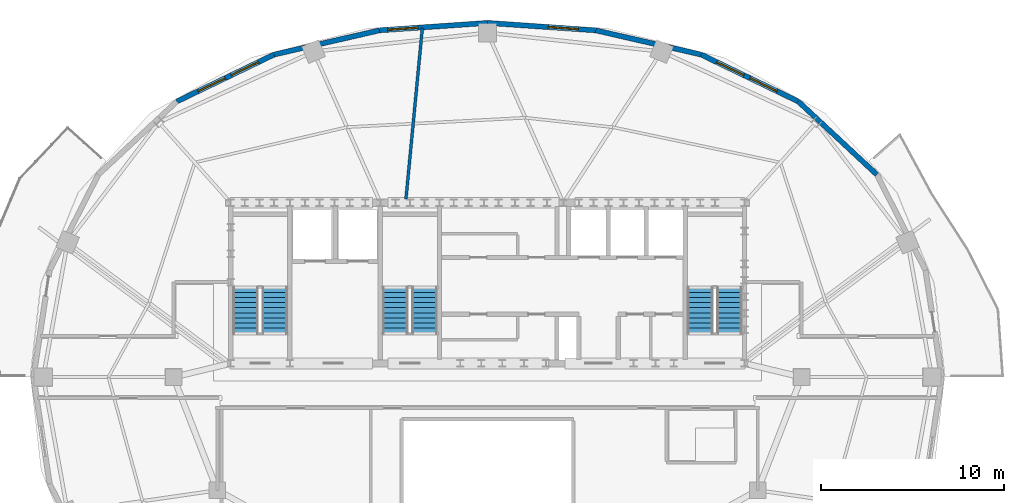
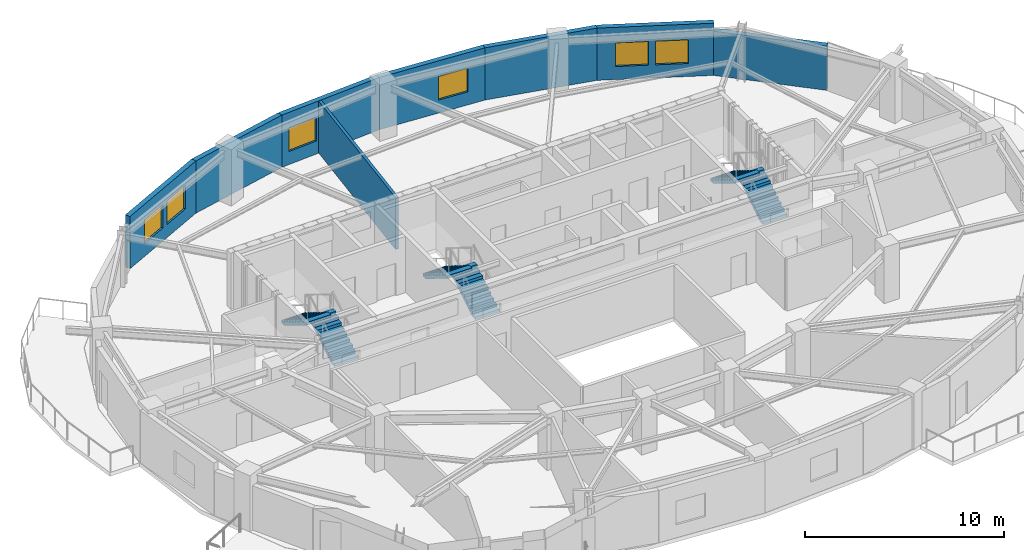
# One storey, part 6 of 10: 8 walls, 6 stair flights, 6 windows, 6 openings, 3 elements without a shape of their own.
"""IFC4 building model written with IfcOpenShell, lengths in metres."""

from ifc_helpers import new_model, si_unit, direction, frame, frame_2d, origin, place, context, subcontext, project, spatial, polyline, rectangle, outline, extrude, material, layer, layer_set, type_object, element, fill, aggregate, save


model = new_model("IFC4")

# Units and contexts
model_context = context("Model", 3, precision=1e-05, world=origin(), true_north=direction((0.0, 1.0)))
body_context = subcontext(model_context, "Body", "Model", "MODEL_VIEW")
ifc_project = project(units=[si_unit("LENGTHUNIT", "METRE"), si_unit("AREAUNIT", "SQUARE_METRE"), si_unit("VOLUMEUNIT", "CUBIC_METRE"), si_unit("PLANEANGLEUNIT", "RADIAN"), si_unit("MASSUNIT", "GRAM", prefix="KILO")], contexts=[model_context])

# Site, building, storey
site_placement = place(None, origin())
site = spatial("IfcSite", under=ifc_project, at=site_placement, CompositionType="ELEMENT")
building_placement = place(site_placement, origin())
building = spatial("IfcBuilding", under=site, at=building_placement, Name="Haldorwick Loom Tower", CompositionType="ELEMENT")
storey_placement = place(building_placement, frame((0.0, 0.0, 262.64990234375)))
storey = spatial("IfcBuildingStorey", under=building, at=storey_placement, Name="L71", CompositionType="ELEMENT", Elevation=262.64990234375)

# Wall
ifc_material_1 = material(Name="Pressed Clay Face Brick and Insulated Masonry Backup Assembly", Category="masonry")
ifc_layer_1 = layer(ifc_material_1, 0.280029296875, Name="Pressed Clay Face Brick and Insulated Masonry Backup Assembly", Category="masonry")
ifc_layer_set_1 = layer_set([ifc_layer_1], Name="Pressed Clay Face Brick and Insulated Masonry Backup Assembly")
wall_type_1 = type_object("IfcWallType", Name="ARC-WL-EXT280", PredefinedType="STANDARD", material=ifc_layer_set_1)
wall_1_placement = place(storey_placement, frame((57.322509765625, 37.08984375, 0.0), z_axis=(0.0, 0.0, 1.0), x_axis=(-0.731924682982, 0.68138554317, 0.0)))
element("IfcWall", 1, at=wall_1_placement, inside=storey, type_object=wall_type_1, Name="L71 Brick Pier and Spandrel Wall 3", PredefinedType="STANDARD", context=body_context, shape_type="SweptSolid", body=[
    extrude(rectangle(XDim=5.87890625, YDim=0.280029296875, at=frame_2d((2.939453125, 0.0))), origin(), (0.0, 0.0, 1.0), 2.718994140625),
])

# Wall, openings, windows
wall_2_placement = place(storey_placement, frame((53.01953125, 41.095703125, 0.0), z_axis=(0.0, 0.0, 1.0), x_axis=(-0.900481907967, 0.434893473651, 0.0)))
wall_2 = element("IfcWall", 2, at=wall_2_placement, inside=storey, type_object=wall_type_1, Name="L71 Brick Pier and Spandrel Wall 4", PredefinedType="STANDARD", context=body_context, shape_type="SweptSolid", body=[
    extrude(rectangle(XDim=5.90966796875, YDim=0.280029296875, at=frame_2d((2.954833984375, 0.0))), origin(), (0.0, 0.0, 1.0), 3.210205078125),
])
opening_1_placement = place(wall_2_placement, frame((1.29443359375, 0.0, 0.800048828125)))
opening_1 = element("IfcOpeningElement", 3, at=opening_1_placement, cuts=wall_2, Name="Opening W-01B", PredefinedType="OPENING", context=body_context, shape_type="SweptSolid", body=[
    extrude(rectangle(XDim=1.64990234375, YDim=1.449951171875, at=frame_2d((0.824951171875, 0.72509765625))), frame((0.0, 0.14990234375, 0.0), z_axis=(0.0, -1.0, 0.0), x_axis=(1.0, 0.0, 0.0)), (0.0, 0.0, 1.0), 0.300048828125),
])
opening_2_placement = place(wall_2_placement, frame((3.311767578125, 0.0, 0.800048828125)))
opening_2 = element("IfcOpeningElement", 4, at=opening_2_placement, cuts=wall_2, Name="Opening W-01B", PredefinedType="OPENING", context=body_context, shape_type="SweptSolid", body=[
    extrude(rectangle(XDim=1.64990234375, YDim=1.449951171875, at=frame_2d((0.824951171875, 0.72509765625))), frame((0.0, 0.14990234375, 0.0), z_axis=(0.0, -1.0, 0.0), x_axis=(1.0, 0.0, 0.0)), (0.0, 0.0, 1.0), 0.300048828125),
])
ifc_material_2 = material(Name="Triple-Glazed Low-E Argon Insulated Glazing Unit", Category="glass")
window_type = type_object("IfcWindowType", Name="ARC-WIN-W165", PartitioningType="SINGLE_PANEL", PredefinedType="WINDOW", material=ifc_material_2)
window_1_placement = place(opening_1_placement, origin())
window_1 = element("IfcWindow", 5, at=window_1_placement, inside=storey, type_object=window_type, Name="L71 Deep-Set Zone 7A Window 4", OverallHeight=1.449951171875, OverallWidth=1.64990234375, PartitioningType="SINGLE_PANEL", PredefinedType="WINDOW", context=body_context, shape_type="SweptSolid", body=[
    extrude(rectangle(XDim=1.64990234375, YDim=1.449951171875, at=frame_2d((0.824951171875, 0.72509765625))), frame((0.0, 0.030029296875, 0.0), z_axis=(0.0, -1.0, 0.0), x_axis=(1.0, 0.0, 0.0)), (0.0, 0.0, 1.0), 0.06005859375),
])
fill(opening_1, window_1)
window_2_placement = place(opening_2_placement, origin())
window_2 = element("IfcWindow", 6, at=window_2_placement, inside=storey, type_object=window_type, Name="L71 Deep-Set Zone 7A Window 4", OverallHeight=1.449951171875, OverallWidth=1.64990234375, PartitioningType="SINGLE_PANEL", PredefinedType="WINDOW", context=body_context, shape_type="SweptSolid", body=[
    extrude(rectangle(XDim=1.64990234375, YDim=1.449951171875, at=frame_2d((0.824951171875, 0.72509765625))), frame((0.0, 0.030029296875, 0.0), z_axis=(0.0, -1.0, 0.0), x_axis=(1.0, 0.0, 0.0)), (0.0, 0.0, 1.0), 0.06005859375),
])
fill(opening_2, window_2)

# Wall
wall_3_placement = place(storey_placement, frame((47.697998046875, 43.665771484375, 0.0), z_axis=(0.0, 0.0, 1.0), x_axis=(-0.974589984037, 0.223996345987, 0.0)))
element("IfcWall", 7, at=wall_3_placement, inside=storey, type_object=wall_type_1, Name="L71 Brick Pier and Spandrel Wall 5", PredefinedType="STANDARD", context=body_context, shape_type="SweptSolid", body=[
    extrude(rectangle(XDim=5.92919921875, YDim=0.280029296875, at=frame_2d((2.964599609375, 0.0))), origin(), (0.0, 0.0, 1.0), 3.210205078125),
])

# Wall, opening, window
wall_4_placement = place(storey_placement, frame((41.91943359375, 44.993896484375, 0.0), z_axis=(0.0, 0.0, 1.0), x_axis=(-0.997656066566, 0.068427865986, 0.0)))
wall_4 = element("IfcWall", 8, at=wall_4_placement, inside=storey, type_object=wall_type_1, Name="L71 Brick Pier and Spandrel Wall 6", PredefinedType="STANDARD", context=body_context, shape_type="SweptSolid", body=[
    extrude(rectangle(XDim=5.933349609375, YDim=0.280029296875, at=frame_2d((2.966796875, 0.0))), origin(), (0.0, 0.0, 1.0), 3.210205078125),
])
opening_3_placement = place(wall_4_placement, frame((0.955078125, 0.0, 0.800048828125)))
opening_3 = element("IfcOpeningElement", 9, at=opening_3_placement, cuts=wall_4, Name="Opening W-01B", PredefinedType="OPENING", context=body_context, shape_type="SweptSolid", body=[
    extrude(rectangle(XDim=1.64990234375, YDim=1.449951171875, at=frame_2d((0.824951171875, 0.72509765625))), frame((0.0, 0.14990234375, 0.0), z_axis=(0.0, -1.0, 0.0), x_axis=(1.0, 0.0, 0.0)), (0.0, 0.0, 1.0), 0.300048828125),
])
window_3_placement = place(opening_3_placement, origin())
window_3 = element("IfcWindow", 10, at=window_3_placement, inside=storey, type_object=window_type, Name="L71 Deep-Set Zone 7A Window 6", OverallHeight=1.449951171875, OverallWidth=1.64990234375, PartitioningType="SINGLE_PANEL", PredefinedType="WINDOW", context=body_context, shape_type="SweptSolid", body=[
    extrude(rectangle(XDim=1.64990234375, YDim=1.449951171875, at=frame_2d((0.824951171875, 0.72509765625))), frame((0.0, 0.030029296875, 0.0), z_axis=(0.0, -1.0, 0.0), x_axis=(1.0, 0.0, 0.0)), (0.0, 0.0, 1.0), 0.06005859375),
])
fill(opening_3, window_3)

wall_5_placement = place(storey_placement, frame((36.0, 45.39990234375, 0.0), z_axis=(0.0, 0.0, 1.0), x_axis=(-0.997656066566, -0.068427865986, 0.0)))
wall_5 = element("IfcWall", 11, at=wall_5_placement, inside=storey, type_object=wall_type_1, Name="L71 Brick Pier and Spandrel Wall 7", PredefinedType="STANDARD", context=body_context, shape_type="SweptSolid", body=[
    extrude(rectangle(XDim=5.933349609375, YDim=0.280029296875, at=frame_2d((2.966796875, 0.0))), origin(), (0.0, 0.0, 1.0), 3.210205078125),
])
opening_4_placement = place(wall_5_placement, frame((3.8232421875, 0.0, 0.800048828125)))
opening_4 = element("IfcOpeningElement", 12, at=opening_4_placement, cuts=wall_5, Name="Opening W-01B", PredefinedType="OPENING", context=body_context, shape_type="SweptSolid", body=[
    extrude(rectangle(XDim=1.64990234375, YDim=1.449951171875, at=frame_2d((0.824951171875, 0.72509765625))), frame((0.0, 0.14990234375, 0.0), z_axis=(0.0, -1.0, 0.0), x_axis=(1.0, 0.0, 0.0)), (0.0, 0.0, 1.0), 0.300048828125),
])
window_4_placement = place(opening_4_placement, origin())
window_4 = element("IfcWindow", 13, at=window_4_placement, inside=storey, type_object=window_type, Name="L71 Deep-Set Zone 7A Window 7", OverallHeight=1.449951171875, OverallWidth=1.64990234375, PartitioningType="SINGLE_PANEL", PredefinedType="WINDOW", context=body_context, shape_type="SweptSolid", body=[
    extrude(rectangle(XDim=1.64990234375, YDim=1.449951171875, at=frame_2d((0.824951171875, 0.72509765625))), frame((0.0, 0.030029296875, 0.0), z_axis=(0.0, -1.0, 0.0), x_axis=(1.0, 0.0, 0.0)), (0.0, 0.0, 1.0), 0.06005859375),
])
fill(opening_4, window_4)

# Wall
wall_6_placement = place(storey_placement, frame((30.08056640625, 44.993896484375, 0.0), z_axis=(0.0, 0.0, 1.0), x_axis=(-0.974589984037, -0.223996345987, 0.0)))
element("IfcWall", 14, at=wall_6_placement, inside=storey, type_object=wall_type_1, Name="L71 Brick Pier and Spandrel Wall 8", PredefinedType="STANDARD", context=body_context, shape_type="SweptSolid", body=[
    extrude(rectangle(XDim=5.92919921875, YDim=0.280029296875, at=frame_2d((2.964599609375, 0.0))), origin(), (0.0, 0.0, 1.0), 3.210205078125),
])

# Wall, openings, windows
wall_7_placement = place(storey_placement, frame((24.302001953125, 43.665771484375, 0.0), z_axis=(0.0, 0.0, 1.0), x_axis=(-0.900481907967, -0.434893473651, 0.0)))
wall_7 = element("IfcWall", 15, at=wall_7_placement, inside=storey, type_object=wall_type_1, Name="L71 Brick Pier and Spandrel Wall 9", PredefinedType="STANDARD", context=body_context, shape_type="SweptSolid", body=[
    extrude(rectangle(XDim=5.90966796875, YDim=0.280029296875, at=frame_2d((2.954833984375, 0.0))), origin(), (0.0, 0.0, 1.0), 3.210205078125),
])
opening_5_placement = place(wall_7_placement, frame((0.947998046875, 0.0, 0.800048828125)))
opening_5 = element("IfcOpeningElement", 16, at=opening_5_placement, cuts=wall_7, Name="Opening W-01B", PredefinedType="OPENING", context=body_context, shape_type="SweptSolid", body=[
    extrude(rectangle(XDim=1.64990234375, YDim=1.449951171875, at=frame_2d((0.824951171875, 0.72509765625))), frame((0.0, 0.14990234375, 0.0), z_axis=(0.0, -1.0, 0.0), x_axis=(1.0, 0.0, 0.0)), (0.0, 0.0, 1.0), 0.300048828125),
])
opening_6_placement = place(wall_7_placement, frame((2.965087890625, 0.0, 0.800048828125)))
opening_6 = element("IfcOpeningElement", 17, at=opening_6_placement, cuts=wall_7, Name="Opening W-01B", PredefinedType="OPENING", context=body_context, shape_type="SweptSolid", body=[
    extrude(rectangle(XDim=1.64990234375, YDim=1.449951171875, at=frame_2d((0.824951171875, 0.72509765625))), frame((0.0, 0.14990234375, 0.0), z_axis=(0.0, -1.0, 0.0), x_axis=(1.0, 0.0, 0.0)), (0.0, 0.0, 1.0), 0.300048828125),
])
window_5_placement = place(opening_5_placement, origin())
window_5 = element("IfcWindow", 18, at=window_5_placement, inside=storey, type_object=window_type, Name="L71 Deep-Set Zone 7A Window 9", OverallHeight=1.449951171875, OverallWidth=1.64990234375, PartitioningType="SINGLE_PANEL", PredefinedType="WINDOW", context=body_context, shape_type="SweptSolid", body=[
    extrude(rectangle(XDim=1.64990234375, YDim=1.449951171875, at=frame_2d((0.824951171875, 0.72509765625))), frame((0.0, 0.030029296875, 0.0), z_axis=(0.0, -1.0, 0.0), x_axis=(1.0, 0.0, 0.0)), (0.0, 0.0, 1.0), 0.06005859375),
])
fill(opening_5, window_5)
window_6_placement = place(opening_6_placement, origin())
window_6 = element("IfcWindow", 19, at=window_6_placement, inside=storey, type_object=window_type, Name="L71 Deep-Set Zone 7A Window 9", OverallHeight=1.449951171875, OverallWidth=1.64990234375, PartitioningType="SINGLE_PANEL", PredefinedType="WINDOW", context=body_context, shape_type="SweptSolid", body=[
    extrude(rectangle(XDim=1.64990234375, YDim=1.449951171875, at=frame_2d((0.824951171875, 0.72509765625))), frame((0.0, 0.030029296875, 0.0), z_axis=(0.0, -1.0, 0.0), x_axis=(1.0, 0.0, 0.0)), (0.0, 0.0, 1.0), 0.06005859375),
])
fill(opening_6, window_6)

# Wall
ifc_material_3 = material(Name="Fire-Rated Type X Gypsum Stud Assembly EI 60")
ifc_layer_2 = layer(ifc_material_3, 0.159912109375, Name="Fire-Rated Type X Gypsum Stud Assembly EI 60")
ifc_layer_set_2 = layer_set([ifc_layer_2], Name="Fire-Rated Type X Gypsum Stud Assembly EI 60")
wall_type_2 = type_object("IfcWallType", Name="ARC-WL-FIRE160", PredefinedType="PARTITIONING", material=ifc_layer_set_2)
wall_8_placement = place(storey_placement, frame((31.529052734375, 35.7529296875, 0.0), z_axis=(0.0, 0.0, 1.0), x_axis=(0.095478310058, 0.995431510607, 0.0)))
element("IfcWall", 20, at=wall_8_placement, inside=storey, type_object=wall_type_2, Name="L71 Residential Fire Partition L71-UPN-C3", PredefinedType="PARTITIONING", context=body_context, shape_type="SweptSolid", body=[
    extrude(rectangle(XDim=9.399658203125, YDim=0.159912109375, at=frame_2d((4.69970703125, 0.0))), origin(), (0.0, 0.0, 1.0), 3.195068359375),
])

# Stair, stair flights
ifc_material_4 = material(Name="Concrete C40 (40 MPa)", Category="concrete")
stair_type = type_object("IfcStairType", Name="STR-STR-CORE", PredefinedType="HALF_TURN_STAIR", material=ifc_material_4)
stair_1_placement = place(storey_placement, origin())
stair_1 = element("IfcStair", 21, at=stair_1_placement, inside=storey, type_object=stair_type, Name="L71 Exit Stair ST-01", PredefinedType="HALF_TURN_STAIR")
stair_flight_type = type_object("IfcStairFlightType", Name="STR-STF-1250", PredefinedType="STRAIGHT", material=ifc_material_4)
stair_flight_1_placement = place(storey_placement, frame((24.35009765625, 28.39990234375, 0.0), z_axis=(0.0, 0.0, 1.0), x_axis=(0.0, 1.0, 0.0)))
stair_flight_1 = element("IfcStairFlight", 22, at=stair_flight_1_placement, type_object=stair_flight_type, Name="ST-01 flight 1", NumberOfRisers=10, NumberOfTreads=9, PredefinedType="STRAIGHT", RiserHeight=0.1725, TreadLength=0.28, context=body_context, shape_type="SweptSolid", body=[
    extrude(outline(polyline([(0.0, 0.0), (0.0, 0.172607421875), (0.280029296875, 0.172607421875), (0.280029296875, 0.344970703125), (0.56005859375, 0.344970703125), (0.56005859375, 0.517578125), (0.840087890625, 0.517578125), (0.840087890625, 0.68994140625), (1.1201171875, 0.68994140625), (1.1201171875, 0.862548828125), (1.39990234375, 0.862548828125), (1.39990234375, 1.034912109375), (1.679931640625, 1.034912109375), (1.679931640625, 1.20751953125), (1.9599609375, 1.20751953125), (1.9599609375, 1.3798828125), (2.239990234375, 1.3798828125), (2.239990234375, 1.552490234375), (2.52001953125, 1.552490234375), (2.52001953125, 1.72509765625), (2.52001953125, 1.37646484375), (0.285888671875, 0.0), (0.0, 0.0)])), frame((0.0, 0.699951171875, 0.0), z_axis=(0.0, -1.0, 0.0), x_axis=(1.0, 0.0, 0.0)), (0.0, 0.0, 1.0), 1.39990234375),
])
stair_flight_2_placement = place(storey_placement, frame((22.75, 30.919921875, 1.72509765625), z_axis=(0.0, 0.0, 1.0), x_axis=(0.0, -1.0, 0.0)))
stair_flight_2 = element("IfcStairFlight", 23, at=stair_flight_2_placement, type_object=stair_flight_type, Name="ST-01 flight 2", NumberOfRisers=10, NumberOfTreads=9, PredefinedType="STRAIGHT", RiserHeight=0.1725, TreadLength=0.28, context=body_context, shape_type="SweptSolid", body=[
    extrude(outline(polyline([(0.0, 0.0), (0.0, 0.172607421875), (0.280029296875, 0.172607421875), (0.280029296875, 0.344970703125), (0.56005859375, 0.344970703125), (0.56005859375, 0.517578125), (0.840087890625, 0.517578125), (0.840087890625, 0.68994140625), (1.1201171875, 0.68994140625), (1.1201171875, 0.862548828125), (1.39990234375, 0.862548828125), (1.39990234375, 1.034912109375), (1.679931640625, 1.034912109375), (1.679931640625, 1.20751953125), (1.9599609375, 1.20751953125), (1.9599609375, 1.3798828125), (2.239990234375, 1.3798828125), (2.239990234375, 1.552490234375), (2.52001953125, 1.552490234375), (2.52001953125, 1.72509765625), (2.52001953125, 1.37646484375), (0.285888671875, 0.0), (0.0, 0.0)])), frame((0.0, 0.699951171875, 0.0), z_axis=(0.0, -1.0, 0.0), x_axis=(1.0, 0.0, 0.0)), (0.0, 0.0, 1.0), 1.39990234375),
])
aggregate(stair_1, [stair_flight_1, stair_flight_2])

stair_2_placement = place(storey_placement, origin())
stair_2 = element("IfcStair", 24, at=stair_2_placement, inside=storey, type_object=stair_type, Name="L71 Exit Stair ST-02", PredefinedType="HALF_TURN_STAIR")
stair_flight_3_placement = place(storey_placement, frame((49.25, 28.39990234375, 0.0), z_axis=(0.0, 0.0, 1.0), x_axis=(0.0, 1.0, 0.0)))
stair_flight_3 = element("IfcStairFlight", 25, at=stair_flight_3_placement, type_object=stair_flight_type, Name="ST-02 flight 1", NumberOfRisers=10, NumberOfTreads=9, PredefinedType="STRAIGHT", RiserHeight=0.1725, TreadLength=0.28, context=body_context, shape_type="SweptSolid", body=[
    extrude(outline(polyline([(0.0, 0.0), (0.0, 0.172607421875), (0.280029296875, 0.172607421875), (0.280029296875, 0.344970703125), (0.56005859375, 0.344970703125), (0.56005859375, 0.517578125), (0.840087890625, 0.517578125), (0.840087890625, 0.68994140625), (1.1201171875, 0.68994140625), (1.1201171875, 0.862548828125), (1.39990234375, 0.862548828125), (1.39990234375, 1.034912109375), (1.679931640625, 1.034912109375), (1.679931640625, 1.20751953125), (1.9599609375, 1.20751953125), (1.9599609375, 1.3798828125), (2.239990234375, 1.3798828125), (2.239990234375, 1.552490234375), (2.52001953125, 1.552490234375), (2.52001953125, 1.72509765625), (2.52001953125, 1.37646484375), (0.285888671875, 0.0), (0.0, 0.0)])), frame((0.0, 0.699951171875, 0.0), z_axis=(0.0, -1.0, 0.0), x_axis=(1.0, 0.0, 0.0)), (0.0, 0.0, 1.0), 1.39990234375),
])
stair_flight_4_placement = place(storey_placement, frame((47.64990234375, 30.919921875, 1.72509765625), z_axis=(0.0, 0.0, 1.0), x_axis=(0.0, -1.0, 0.0)))
stair_flight_4 = element("IfcStairFlight", 26, at=stair_flight_4_placement, type_object=stair_flight_type, Name="ST-02 flight 2", NumberOfRisers=10, NumberOfTreads=9, PredefinedType="STRAIGHT", RiserHeight=0.1725, TreadLength=0.28, context=body_context, shape_type="SweptSolid", body=[
    extrude(outline(polyline([(0.0, 0.0), (0.0, 0.172607421875), (0.280029296875, 0.172607421875), (0.280029296875, 0.344970703125), (0.56005859375, 0.344970703125), (0.56005859375, 0.517578125), (0.840087890625, 0.517578125), (0.840087890625, 0.68994140625), (1.1201171875, 0.68994140625), (1.1201171875, 0.862548828125), (1.39990234375, 0.862548828125), (1.39990234375, 1.034912109375), (1.679931640625, 1.034912109375), (1.679931640625, 1.20751953125), (1.9599609375, 1.20751953125), (1.9599609375, 1.3798828125), (2.239990234375, 1.3798828125), (2.239990234375, 1.552490234375), (2.52001953125, 1.552490234375), (2.52001953125, 1.72509765625), (2.52001953125, 1.37646484375), (0.285888671875, 0.0), (0.0, 0.0)])), frame((0.0, 0.699951171875, 0.0), z_axis=(0.0, -1.0, 0.0), x_axis=(1.0, 0.0, 0.0)), (0.0, 0.0, 1.0), 1.39990234375),
])
aggregate(stair_2, [stair_flight_3, stair_flight_4])

stair_3_placement = place(storey_placement, origin())
stair_3 = element("IfcStair", 27, at=stair_3_placement, inside=storey, type_object=stair_type, Name="L71 Exit Stair ST-03", PredefinedType="HALF_TURN_STAIR")
stair_flight_5_placement = place(storey_placement, frame((32.550048828125, 28.39990234375, 0.0), z_axis=(0.0, 0.0, 1.0), x_axis=(0.0, 1.0, 0.0)))
stair_flight_5 = element("IfcStairFlight", 28, at=stair_flight_5_placement, type_object=stair_flight_type, Name="ST-03 flight 1", NumberOfRisers=10, NumberOfTreads=9, PredefinedType="STRAIGHT", RiserHeight=0.1725, TreadLength=0.28, context=body_context, shape_type="SweptSolid", body=[
    extrude(outline(polyline([(0.0, 0.0), (0.0, 0.172607421875), (0.280029296875, 0.172607421875), (0.280029296875, 0.344970703125), (0.56005859375, 0.344970703125), (0.56005859375, 0.517578125), (0.840087890625, 0.517578125), (0.840087890625, 0.68994140625), (1.1201171875, 0.68994140625), (1.1201171875, 0.862548828125), (1.39990234375, 0.862548828125), (1.39990234375, 1.034912109375), (1.679931640625, 1.034912109375), (1.679931640625, 1.20751953125), (1.9599609375, 1.20751953125), (1.9599609375, 1.3798828125), (2.239990234375, 1.3798828125), (2.239990234375, 1.552490234375), (2.52001953125, 1.552490234375), (2.52001953125, 1.72509765625), (2.52001953125, 1.37646484375), (0.285888671875, 0.0), (0.0, 0.0)])), frame((0.0, 0.699951171875, 0.0), z_axis=(0.0, -1.0, 0.0), x_axis=(1.0, 0.0, 0.0)), (0.0, 0.0, 1.0), 1.39990234375),
])
stair_flight_6_placement = place(storey_placement, frame((30.949951171875, 30.919921875, 1.72509765625), z_axis=(0.0, 0.0, 1.0), x_axis=(0.0, -1.0, 0.0)))
stair_flight_6 = element("IfcStairFlight", 29, at=stair_flight_6_placement, type_object=stair_flight_type, Name="ST-03 flight 2", NumberOfRisers=10, NumberOfTreads=9, PredefinedType="STRAIGHT", RiserHeight=0.1725, TreadLength=0.28, context=body_context, shape_type="SweptSolid", body=[
    extrude(outline(polyline([(0.0, 0.0), (0.0, 0.172607421875), (0.280029296875, 0.172607421875), (0.280029296875, 0.344970703125), (0.56005859375, 0.344970703125), (0.56005859375, 0.517578125), (0.840087890625, 0.517578125), (0.840087890625, 0.68994140625), (1.1201171875, 0.68994140625), (1.1201171875, 0.862548828125), (1.39990234375, 0.862548828125), (1.39990234375, 1.034912109375), (1.679931640625, 1.034912109375), (1.679931640625, 1.20751953125), (1.9599609375, 1.20751953125), (1.9599609375, 1.3798828125), (2.239990234375, 1.3798828125), (2.239990234375, 1.552490234375), (2.52001953125, 1.552490234375), (2.52001953125, 1.72509765625), (2.52001953125, 1.37646484375), (0.285888671875, 0.0), (0.0, 0.0)])), frame((0.0, 0.699951171875, 0.0), z_axis=(0.0, -1.0, 0.0), x_axis=(1.0, 0.0, 0.0)), (0.0, 0.0, 1.0), 1.39990234375),
])
aggregate(stair_3, [stair_flight_5, stair_flight_6])

save(model, "model.ifc")
